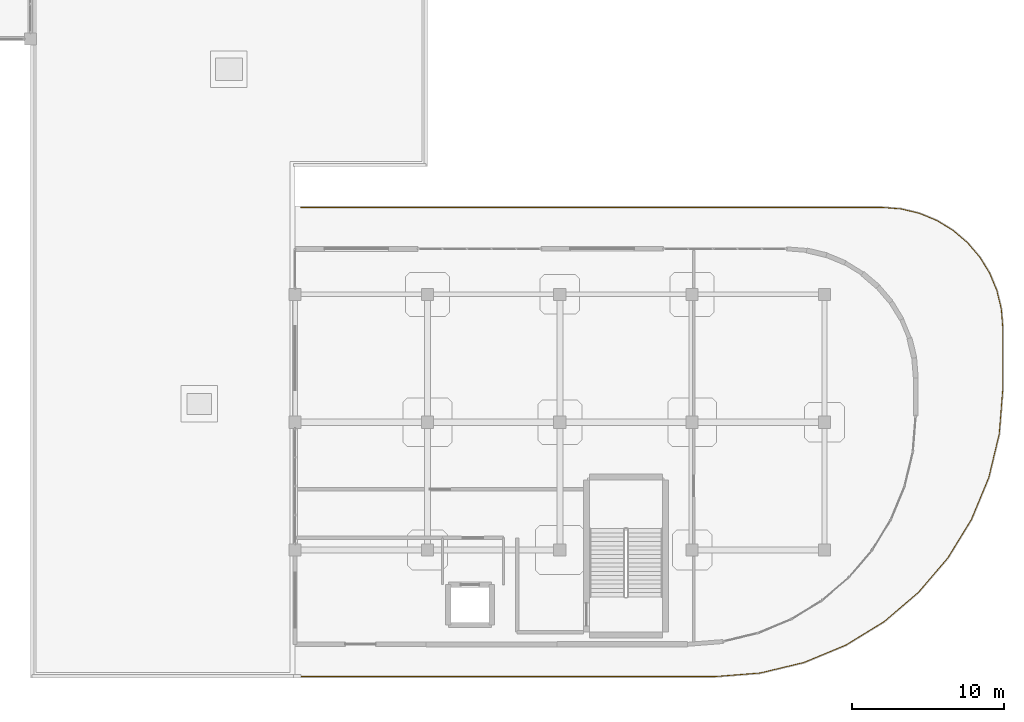
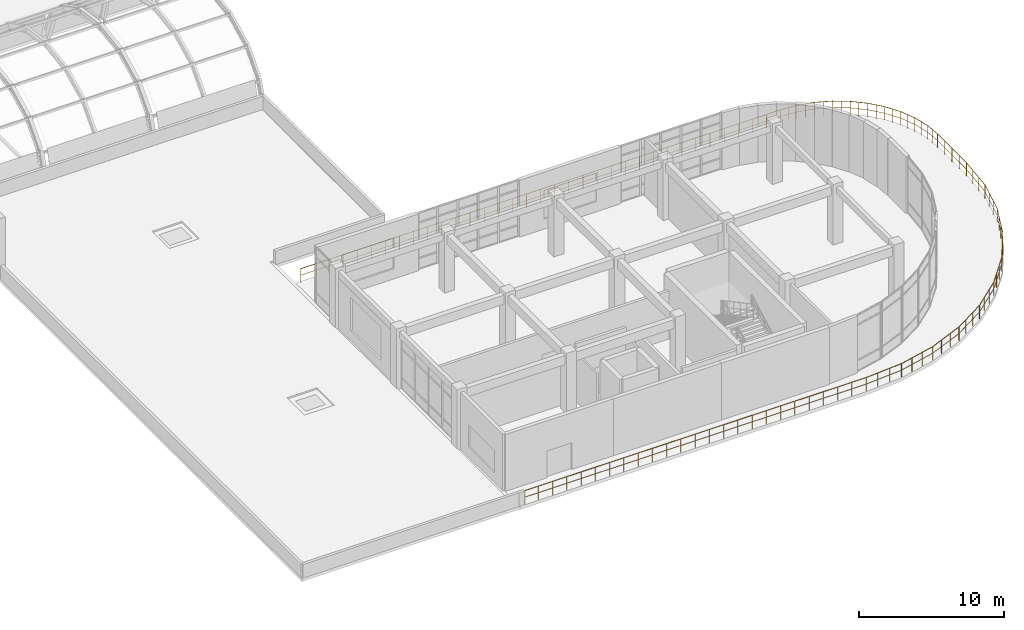
# One storey, part 124 of 124: 1 railing.
"""IFC4 building model written with IfcOpenShell, lengths in metres."""

from ifc_helpers import new_model, si_unit, derived_unit, direction, frame, origin, origin_2d, place, context, subcontext, project, spatial, circle, extrude, material, type_object, element, save


model = new_model("IFC4")

# Units and contexts
model_context = context("Model", 3, precision=1e-05, world=origin(), true_north=direction((0.0, 1.0)))
body_context = subcontext(model_context, "Body", "Model", "MODEL_VIEW")
ifc_project = project(units=[si_unit("LENGTHUNIT", "METRE"), si_unit("AREAUNIT", "SQUARE_METRE"), si_unit("VOLUMEUNIT", "CUBIC_METRE"), si_unit("PLANEANGLEUNIT", "RADIAN"), si_unit("MASSUNIT", "GRAM", prefix="KILO"), derived_unit("THERMALTRANSMITTANCEUNIT", [(si_unit("MASSUNIT", "GRAM", prefix="KILO"), 1), (si_unit("TIMEUNIT", "SECOND"), -3), (si_unit("THERMODYNAMICTEMPERATUREUNIT", "KELVIN"), -1)])], contexts=[model_context])

# Site, building, storey
site_placement = place(None, origin())
site = spatial("IfcSite", under=ifc_project, at=site_placement, CompositionType="ELEMENT")
building_placement = place(site_placement, origin())
building = spatial("IfcBuilding", under=site, at=building_placement, Name="Qinzheling Arcade Emporium", CompositionType="ELEMENT")
storey_placement = place(building_placement, frame((0.0, 0.0, 16.5)))
storey = spatial("IfcBuildingStorey", under=building, at=storey_placement, Name="L04", CompositionType="ELEMENT", Elevation=16.5)

# Railing
ifc_material = material(Name="Architectural bronze rail and laminated safety glass", Category="glass")
railing_type = type_object("IfcRailingType", Name="Curved Terrace Laminated Glass and Bronze Balustrade 1150", PredefinedType="BALUSTRADE", material=ifc_material)
railing_placement = place(storey_placement, frame((122.159912109375, 30.919921875, 0.0)))
element("IfcRailing", 1, at=railing_placement, inside=storey, type_object=railing_type, Name="Terrace Balustrade RLG-TER-L04-005", PredefinedType="BALUSTRADE", context=body_context, shape_type="SweptSolid", body=[
    extrude(circle(Radius=0.02392578125, at=origin_2d()), frame((0.0, 0.0, 1.1259765625), z_axis=(1.0, 0.0, 0.0), x_axis=(0.0, 1.0, 0.0)), (0.0, 0.0, 1.0), 38.237060546875),
    extrude(circle(Radius=0.01611328125, at=origin_2d()), frame((0.0, 0.0, 0.574951171875), z_axis=(1.0, 0.0, 0.0), x_axis=(0.0, 1.0, 0.0)), (0.0, 0.0, 1.0), 38.237060546875),
    extrude(circle(Radius=0.02392578125, at=origin_2d()), frame((38.237060546875, 0.0, 1.1259765625), z_axis=(0.996963806928, -0.077866344944, 0.0), x_axis=(0.077866344944, 0.996963806928, 0.0)), (0.0, 0.0, 1.0), 1.24462890625),
    extrude(circle(Radius=0.01611328125, at=origin_2d()), frame((38.237060546875, 0.0, 0.574951171875), z_axis=(0.996963806928, -0.077866344944, 0.0), x_axis=(0.077866344944, 0.996963806928, 0.0)), (0.0, 0.0, 1.0), 1.24462890625),
    extrude(circle(Radius=0.02392578125, at=origin_2d()), frame((39.47802734375, -0.096923828125, 1.1259765625), z_axis=(0.972230255377, -0.234026345802, 0.0), x_axis=(0.234026345802, 0.972230255377, 0.0)), (0.0, 0.0, 1.0), 1.243408203125),
    extrude(circle(Radius=0.01611328125, at=origin_2d()), frame((39.47802734375, -0.096923828125, 0.574951171875), z_axis=(0.972230255377, -0.234026345802, 0.0), x_axis=(0.234026345802, 0.972230255377, 0.0)), (0.0, 0.0, 1.0), 1.243408203125),
    extrude(circle(Radius=0.02392578125, at=origin_2d()), frame((40.68701171875, -0.387939453125, 1.1259765625), z_axis=(0.923858937936, -0.382733148285, 0.0), x_axis=(0.382733148285, 0.923858937936, 0.0)), (0.0, 0.0, 1.0), 1.243896484375),
    extrude(circle(Radius=0.01611328125, at=origin_2d()), frame((40.68701171875, -0.387939453125, 0.574951171875), z_axis=(0.923858937936, -0.382733148285, 0.0), x_axis=(0.382733148285, 0.923858937936, 0.0)), (0.0, 0.0, 1.0), 1.243896484375),
    extrude(circle(Radius=0.02392578125, at=origin_2d()), frame((41.836181640625, -0.864013671875, 1.1259765625), z_axis=(0.852615379293, -0.522539008107, 0.0), x_axis=(0.522539008107, 0.852615379293, 0.0)), (0.0, 0.0, 1.0), 1.241943359375),
    extrude(circle(Radius=0.01611328125, at=origin_2d()), frame((41.836181640625, -0.864013671875, 0.574951171875), z_axis=(0.852615379293, -0.522539008107, 0.0), x_axis=(0.522539008107, 0.852615379293, 0.0)), (0.0, 0.0, 1.0), 1.241943359375),
    extrude(circle(Radius=0.02392578125, at=origin_2d()), frame((42.89501953125, -1.512939453125, 1.1259765625), z_axis=(0.760517175436, -0.649317815762, 0.0), x_axis=(0.649317815762, 0.760517175436, 0.0)), (0.0, 0.0, 1.0), 1.24267578125),
    extrude(circle(Radius=0.01611328125, at=origin_2d()), frame((42.89501953125, -1.512939453125, 0.574951171875), z_axis=(0.760517175436, -0.649317815762, 0.0), x_axis=(0.649317815762, 0.760517175436, 0.0)), (0.0, 0.0, 1.0), 1.24267578125),
    extrude(circle(Radius=0.02392578125, at=origin_2d()), frame((43.840087890625, -2.31982421875, 1.1259765625), z_axis=(0.649317815762, -0.760517175436, 0.0), x_axis=(0.760517175436, 0.649317815762, 0.0)), (0.0, 0.0, 1.0), 1.24267578125),
    extrude(circle(Radius=0.01611328125, at=origin_2d()), frame((43.840087890625, -2.31982421875, 0.574951171875), z_axis=(0.649317815762, -0.760517175436, 0.0), x_axis=(0.760517175436, 0.649317815762, 0.0)), (0.0, 0.0, 1.0), 1.24267578125),
    extrude(circle(Radius=0.02392578125, at=origin_2d()), frame((44.64697265625, -3.264892578125, 1.1259765625), z_axis=(0.522594318317, -0.852581479075, 0.0), x_axis=(0.852581479075, 0.522594318317, 0.0)), (0.0, 0.0, 1.0), 1.2421875),
    extrude(circle(Radius=0.01611328125, at=origin_2d()), frame((44.64697265625, -3.264892578125, 0.574951171875), z_axis=(0.522594318317, -0.852581479075, 0.0), x_axis=(0.852581479075, 0.522594318317, 0.0)), (0.0, 0.0, 1.0), 1.2421875),
    extrude(circle(Radius=0.02392578125, at=origin_2d()), frame((45.296142578125, -4.323974609375, 1.1259765625), z_axis=(0.382634999188, -0.923899592703, 0.0), x_axis=(0.923899592703, 0.382634999188, 0.0)), (0.0, 0.0, 1.0), 1.24365234375),
    extrude(circle(Radius=0.01611328125, at=origin_2d()), frame((45.296142578125, -4.323974609375, 0.574951171875), z_axis=(0.382634999188, -0.923899592703, 0.0), x_axis=(0.923899592703, 0.382634999188, 0.0)), (0.0, 0.0, 1.0), 1.24365234375),
    extrude(circle(Radius=0.02392578125, at=origin_2d()), frame((45.77197265625, -5.472900390625, 1.1259765625), z_axis=(0.234026345802, -0.972230255377, 0.0), x_axis=(0.972230255377, 0.234026345802, 0.0)), (0.0, 0.0, 1.0), 1.243408203125),
    extrude(circle(Radius=0.01611328125, at=origin_2d()), frame((45.77197265625, -5.472900390625, 0.574951171875), z_axis=(0.234026345802, -0.972230255377, 0.0), x_axis=(0.972230255377, 0.234026345802, 0.0)), (0.0, 0.0, 1.0), 1.243408203125),
    extrude(circle(Radius=0.02392578125, at=origin_2d()), frame((46.06298828125, -6.681884765625, 1.1259765625), z_axis=(0.078061288153, -0.996948562009, 0.0), x_axis=(0.996948562009, 0.078061288153, 0.0)), (0.0, 0.0, 1.0), 1.244873046875),
    extrude(circle(Radius=0.01611328125, at=origin_2d()), frame((46.06298828125, -6.681884765625, 0.574951171875), z_axis=(0.078061288153, -0.996948562009, 0.0), x_axis=(0.996948562009, 0.078061288153, 0.0)), (0.0, 0.0, 1.0), 1.244873046875),
    extrude(circle(Radius=0.02392578125, at=origin_2d()), frame((46.16015625, -7.9228515625, 1.1259765625), z_axis=(0.0, -1.0, 0.0), x_axis=(1.0, 0.0, 0.0)), (0.0, 0.0, 1.0), 3.994140625),
    extrude(circle(Radius=0.01611328125, at=origin_2d()), frame((46.16015625, -7.9228515625, 0.574951171875), z_axis=(0.0, -1.0, 0.0), x_axis=(1.0, 0.0, 0.0)), (0.0, 0.0, 1.0), 3.994140625),
    extrude(circle(Radius=0.02392578125, at=origin_2d()), frame((46.16015625, -11.9169921875, 1.1259765625), z_axis=(-0.078474685286, -0.996916106686, 0.0), x_axis=(0.996916106686, -0.078474685286, 0.0)), (0.0, 0.0, 1.0), 2.97119140625),
    extrude(circle(Radius=0.01611328125, at=origin_2d()), frame((46.16015625, -11.9169921875, 0.574951171875), z_axis=(-0.078474685286, -0.996916106686, 0.0), x_axis=(0.996916106686, -0.078474685286, 0.0)), (0.0, 0.0, 1.0), 2.97119140625),
    extrude(circle(Radius=0.02392578125, at=origin_2d()), frame((45.927001953125, -14.87890625, 1.1259765625), z_axis=(-0.233372952475, -0.972387301981, 0.0), x_axis=(0.972387301981, -0.233372952475, 0.0)), (0.0, 0.0, 1.0), 2.968994140625),
    extrude(circle(Radius=0.01611328125, at=origin_2d()), frame((45.927001953125, -14.87890625, 0.574951171875), z_axis=(-0.233372952475, -0.972387301981, 0.0), x_axis=(0.972387301981, -0.233372952475, 0.0)), (0.0, 0.0, 1.0), 2.968994140625),
    extrude(circle(Radius=0.02392578125, at=origin_2d()), frame((45.234130859375, -17.765869140625, 1.1259765625), z_axis=(-0.38277039276, -0.923843507541, 0.0), x_axis=(0.923843507541, -0.38277039276, 0.0)), (0.0, 0.0, 1.0), 2.970458984375),
    extrude(circle(Radius=0.01611328125, at=origin_2d()), frame((45.234130859375, -17.765869140625, 0.574951171875), z_axis=(-0.38277039276, -0.923843507541, 0.0), x_axis=(0.923843507541, -0.38277039276, 0.0)), (0.0, 0.0, 1.0), 2.970458984375),
    extrude(circle(Radius=0.02392578125, at=origin_2d()), frame((44.09716796875, -20.510009765625, 1.1259765625), z_axis=(-0.522504198859, -0.852636711721, 0.0), x_axis=(0.852636711721, -0.522504198859, 0.0)), (0.0, 0.0, 1.0), 2.968505859375),
    extrude(circle(Radius=0.01611328125, at=origin_2d()), frame((44.09716796875, -20.510009765625, 0.574951171875), z_axis=(-0.522504198859, -0.852636711721, 0.0), x_axis=(0.852636711721, -0.522504198859, 0.0)), (0.0, 0.0, 1.0), 2.968505859375),
    extrude(circle(Radius=0.02392578125, at=origin_2d()), frame((42.546142578125, -23.041015625, 1.1259765625), z_axis=(-0.649537366545, -0.760329671565, 0.0), x_axis=(0.760329671565, -0.649537366545, 0.0)), (0.0, 0.0, 1.0), 2.96826171875),
    extrude(circle(Radius=0.01611328125, at=origin_2d()), frame((42.546142578125, -23.041015625, 0.574951171875), z_axis=(-0.649537366545, -0.760329671565, 0.0), x_axis=(0.760329671565, -0.649537366545, 0.0)), (0.0, 0.0, 1.0), 2.96826171875),
    extrude(circle(Radius=0.02392578125, at=origin_2d()), frame((40.6181640625, -25.2978515625, 1.1259765625), z_axis=(-0.760364369972, -0.649496747395, 0.0), x_axis=(0.649496747395, -0.760364369972, 0.0)), (0.0, 0.0, 1.0), 2.968505859375),
    extrude(circle(Radius=0.01611328125, at=origin_2d()), frame((40.6181640625, -25.2978515625, 0.574951171875), z_axis=(-0.760364369972, -0.649496747395, 0.0), x_axis=(0.649496747395, -0.760364369972, 0.0)), (0.0, 0.0, 1.0), 2.968505859375),
    extrude(circle(Radius=0.02392578125, at=origin_2d()), frame((38.361083984375, -27.225830078125, 1.1259765625), z_axis=(-0.852636711721, -0.522504198859, 0.0), x_axis=(0.522504198859, -0.852636711721, 0.0)), (0.0, 0.0, 1.0), 2.968505859375),
    extrude(circle(Radius=0.01611328125, at=origin_2d()), frame((38.361083984375, -27.225830078125, 0.574951171875), z_axis=(-0.852636711721, -0.522504198859, 0.0), x_axis=(0.522504198859, -0.852636711721, 0.0)), (0.0, 0.0, 1.0), 2.968505859375),
    extrude(circle(Radius=0.02392578125, at=origin_2d()), frame((35.830078125, -28.77685546875, 1.1259765625), z_axis=(-0.923831463888, -0.382799459679, 0.0), x_axis=(0.382799459679, -0.923831463888, 0.0)), (0.0, 0.0, 1.0), 2.97021484375),
    extrude(circle(Radius=0.01611328125, at=origin_2d()), frame((35.830078125, -28.77685546875, 0.574951171875), z_axis=(-0.923831463888, -0.382799459679, 0.0), x_axis=(0.382799459679, -0.923831463888, 0.0)), (0.0, 0.0, 1.0), 2.97021484375),
    extrude(circle(Radius=0.02392578125, at=origin_2d()), frame((33.086181640625, -29.913818359375, 1.1259765625), z_axis=(-0.972373119459, -0.233432038402, 0.0), x_axis=(0.233432038402, -0.972373119459, 0.0)), (0.0, 0.0, 1.0), 2.96923828125),
    extrude(circle(Radius=0.01611328125, at=origin_2d()), frame((33.086181640625, -29.913818359375, 0.574951171875), z_axis=(-0.972373119459, -0.233432038402, 0.0), x_axis=(0.233432038402, -0.972373119459, 0.0)), (0.0, 0.0, 1.0), 2.96923828125),
    extrude(circle(Radius=0.02392578125, at=origin_2d()), frame((30.198974609375, -30.60693359375, 1.1259765625), z_axis=(-0.996922531952, -0.078393018091, 0.0), x_axis=(0.078393018091, -0.996922531952, 0.0)), (0.0, 0.0, 1.0), 2.970947265625),
    extrude(circle(Radius=0.01611328125, at=origin_2d()), frame((30.198974609375, -30.60693359375, 0.574951171875), z_axis=(-0.996922531952, -0.078393018091, 0.0), x_axis=(0.078393018091, -0.996922531952, 0.0)), (0.0, 0.0, 1.0), 2.970947265625),
    extrude(circle(Radius=0.02392578125, at=origin_2d()), frame((27.237060546875, -30.83984375, 1.1259765625), z_axis=(-1.0, 0.0, 0.0), x_axis=(0.0, -1.0, 0.0)), (0.0, 0.0, 1.0), 27.237060546875),
    extrude(circle(Radius=0.01611328125, at=origin_2d()), frame((27.237060546875, -30.83984375, 0.574951171875), z_axis=(-1.0, 0.0, 0.0), x_axis=(0.0, -1.0, 0.0)), (0.0, 0.0, 1.0), 27.237060546875),
    extrude(circle(Radius=0.02099609375, at=origin_2d()), origin(), (0.0, 0.0, 1.0), 1.101806640625),
    extrude(circle(Radius=0.02099609375, at=origin_2d()), frame((1.12451171875, 0.0, 0.0)), (0.0, 0.0, 1.0), 1.101806640625),
    extrude(circle(Radius=0.02099609375, at=origin_2d()), frame((2.249267578125, 0.0, 0.0)), (0.0, 0.0, 1.0), 1.101806640625),
    extrude(circle(Radius=0.02099609375, at=origin_2d()), frame((3.373779296875, 0.0, 0.0)), (0.0, 0.0, 1.0), 1.101806640625),
    extrude(circle(Radius=0.02099609375, at=origin_2d()), frame((4.49853515625, 0.0, 0.0)), (0.0, 0.0, 1.0), 1.101806640625),
    extrude(circle(Radius=0.02099609375, at=origin_2d()), frame((5.623046875, 0.0, 0.0)), (0.0, 0.0, 1.0), 1.101806640625),
    extrude(circle(Radius=0.02099609375, at=origin_2d()), frame((6.747802734375, 0.0, 0.0)), (0.0, 0.0, 1.0), 1.101806640625),
    extrude(circle(Radius=0.02099609375, at=origin_2d()), frame((7.872314453125, 0.0, 0.0)), (0.0, 0.0, 1.0), 1.101806640625),
    extrude(circle(Radius=0.02099609375, at=origin_2d()), frame((8.9970703125, 0.0, 0.0)), (0.0, 0.0, 1.0), 1.101806640625),
    extrude(circle(Radius=0.02099609375, at=origin_2d()), frame((10.12158203125, 0.0, 0.0)), (0.0, 0.0, 1.0), 1.101806640625),
    extrude(circle(Radius=0.02099609375, at=origin_2d()), frame((11.24609375, 0.0, 0.0)), (0.0, 0.0, 1.0), 1.101806640625),
    extrude(circle(Radius=0.02099609375, at=origin_2d()), frame((12.370849609375, 0.0, 0.0)), (0.0, 0.0, 1.0), 1.101806640625),
    extrude(circle(Radius=0.02099609375, at=origin_2d()), frame((13.495361328125, 0.0, 0.0)), (0.0, 0.0, 1.0), 1.101806640625),
    extrude(circle(Radius=0.02099609375, at=origin_2d()), frame((14.6201171875, 0.0, 0.0)), (0.0, 0.0, 1.0), 1.101806640625),
    extrude(circle(Radius=0.02099609375, at=origin_2d()), frame((15.74462890625, 0.0, 0.0)), (0.0, 0.0, 1.0), 1.101806640625),
    extrude(circle(Radius=0.02099609375, at=origin_2d()), frame((16.869384765625, 0.0, 0.0)), (0.0, 0.0, 1.0), 1.101806640625),
    extrude(circle(Radius=0.02099609375, at=origin_2d()), frame((17.993896484375, 0.0, 0.0)), (0.0, 0.0, 1.0), 1.101806640625),
    extrude(circle(Radius=0.02099609375, at=origin_2d()), frame((19.11865234375, 0.0, 0.0)), (0.0, 0.0, 1.0), 1.101806640625),
    extrude(circle(Radius=0.02099609375, at=origin_2d()), frame((20.2431640625, 0.0, 0.0)), (0.0, 0.0, 1.0), 1.101806640625),
    extrude(circle(Radius=0.02099609375, at=origin_2d()), frame((21.36767578125, 0.0, 0.0)), (0.0, 0.0, 1.0), 1.101806640625),
    extrude(circle(Radius=0.02099609375, at=origin_2d()), frame((22.492431640625, 0.0, 0.0)), (0.0, 0.0, 1.0), 1.101806640625),
    extrude(circle(Radius=0.02099609375, at=origin_2d()), frame((23.616943359375, 0.0, 0.0)), (0.0, 0.0, 1.0), 1.101806640625),
    extrude(circle(Radius=0.02099609375, at=origin_2d()), frame((24.74169921875, 0.0, 0.0)), (0.0, 0.0, 1.0), 1.101806640625),
    extrude(circle(Radius=0.02099609375, at=origin_2d()), frame((25.8662109375, 0.0, 0.0)), (0.0, 0.0, 1.0), 1.101806640625),
    extrude(circle(Radius=0.02099609375, at=origin_2d()), frame((26.990966796875, 0.0, 0.0)), (0.0, 0.0, 1.0), 1.101806640625),
    extrude(circle(Radius=0.02099609375, at=origin_2d()), frame((28.115478515625, 0.0, 0.0)), (0.0, 0.0, 1.0), 1.101806640625),
    extrude(circle(Radius=0.02099609375, at=origin_2d()), frame((29.239990234375, 0.0, 0.0)), (0.0, 0.0, 1.0), 1.101806640625),
    extrude(circle(Radius=0.02099609375, at=origin_2d()), frame((30.36474609375, 0.0, 0.0)), (0.0, 0.0, 1.0), 1.101806640625),
    extrude(circle(Radius=0.02099609375, at=origin_2d()), frame((31.4892578125, 0.0, 0.0)), (0.0, 0.0, 1.0), 1.101806640625),
    extrude(circle(Radius=0.02099609375, at=origin_2d()), frame((32.614013671875, 0.0, 0.0)), (0.0, 0.0, 1.0), 1.101806640625),
    extrude(circle(Radius=0.02099609375, at=origin_2d()), frame((33.738525390625, 0.0, 0.0)), (0.0, 0.0, 1.0), 1.101806640625),
    extrude(circle(Radius=0.02099609375, at=origin_2d()), frame((34.86328125, 0.0, 0.0)), (0.0, 0.0, 1.0), 1.101806640625),
    extrude(circle(Radius=0.02099609375, at=origin_2d()), frame((35.98779296875, 0.0, 0.0)), (0.0, 0.0, 1.0), 1.101806640625),
    extrude(circle(Radius=0.02099609375, at=origin_2d()), frame((37.112548828125, 0.0, 0.0)), (0.0, 0.0, 1.0), 1.101806640625),
    extrude(circle(Radius=0.02099609375, at=origin_2d()), frame((38.237060546875, 0.0, 0.0)), (0.0, 0.0, 1.0), 1.101806640625),
    extrude(circle(Radius=0.02099609375, at=origin_2d()), frame((38.857421875, -0.04833984375, 0.0)), (0.0, 0.0, 1.0), 1.101806640625),
    extrude(circle(Radius=0.02099609375, at=origin_2d()), frame((39.47802734375, -0.096923828125, 0.0)), (0.0, 0.0, 1.0), 1.101806640625),
    extrude(circle(Radius=0.02099609375, at=origin_2d()), frame((40.08251953125, -0.242431640625, 0.0)), (0.0, 0.0, 1.0), 1.101806640625),
    extrude(circle(Radius=0.02099609375, at=origin_2d()), frame((40.68701171875, -0.387939453125, 0.0)), (0.0, 0.0, 1.0), 1.101806640625),
    extrude(circle(Radius=0.02099609375, at=origin_2d()), frame((41.26171875, -0.6259765625, 0.0)), (0.0, 0.0, 1.0), 1.101806640625),
    extrude(circle(Radius=0.02099609375, at=origin_2d()), frame((41.836181640625, -0.864013671875, 0.0)), (0.0, 0.0, 1.0), 1.101806640625),
    extrude(circle(Radius=0.02099609375, at=origin_2d()), frame((42.36572265625, -1.1884765625, 0.0)), (0.0, 0.0, 1.0), 1.101806640625),
    extrude(circle(Radius=0.02099609375, at=origin_2d()), frame((42.89501953125, -1.512939453125, 0.0)), (0.0, 0.0, 1.0), 1.101806640625),
    extrude(circle(Radius=0.02099609375, at=origin_2d()), frame((43.36767578125, -1.91650390625, 0.0)), (0.0, 0.0, 1.0), 1.101806640625),
    extrude(circle(Radius=0.02099609375, at=origin_2d()), frame((43.840087890625, -2.31982421875, 0.0)), (0.0, 0.0, 1.0), 1.101806640625),
    extrude(circle(Radius=0.02099609375, at=origin_2d()), frame((44.24365234375, -2.79248046875, 0.0)), (0.0, 0.0, 1.0), 1.101806640625),
    extrude(circle(Radius=0.02099609375, at=origin_2d()), frame((44.64697265625, -3.264892578125, 0.0)), (0.0, 0.0, 1.0), 1.101806640625),
    extrude(circle(Radius=0.02099609375, at=origin_2d()), frame((44.9716796875, -3.79443359375, 0.0)), (0.0, 0.0, 1.0), 1.101806640625),
    extrude(circle(Radius=0.02099609375, at=origin_2d()), frame((45.296142578125, -4.323974609375, 0.0)), (0.0, 0.0, 1.0), 1.101806640625),
    extrude(circle(Radius=0.02099609375, at=origin_2d()), frame((45.5341796875, -4.8984375, 0.0)), (0.0, 0.0, 1.0), 1.101806640625),
    extrude(circle(Radius=0.02099609375, at=origin_2d()), frame((45.77197265625, -5.472900390625, 0.0)), (0.0, 0.0, 1.0), 1.101806640625),
    extrude(circle(Radius=0.02099609375, at=origin_2d()), frame((45.91748046875, -6.077392578125, 0.0)), (0.0, 0.0, 1.0), 1.101806640625),
    extrude(circle(Radius=0.02099609375, at=origin_2d()), frame((46.06298828125, -6.681884765625, 0.0)), (0.0, 0.0, 1.0), 1.101806640625),
    extrude(circle(Radius=0.02099609375, at=origin_2d()), frame((46.111572265625, -7.30224609375, 0.0)), (0.0, 0.0, 1.0), 1.101806640625),
    extrude(circle(Radius=0.02099609375, at=origin_2d()), frame((46.16015625, -7.9228515625, 0.0)), (0.0, 0.0, 1.0), 1.101806640625),
    extrude(circle(Radius=0.02099609375, at=origin_2d()), frame((46.16015625, -8.92138671875, 0.0)), (0.0, 0.0, 1.0), 1.101806640625),
    extrude(circle(Radius=0.02099609375, at=origin_2d()), frame((46.16015625, -9.919921875, 0.0)), (0.0, 0.0, 1.0), 1.101806640625),
    extrude(circle(Radius=0.02099609375, at=origin_2d()), frame((46.16015625, -10.91845703125, 0.0)), (0.0, 0.0, 1.0), 1.101806640625),
    extrude(circle(Radius=0.02099609375, at=origin_2d()), frame((46.16015625, -11.9169921875, 0.0)), (0.0, 0.0, 1.0), 1.101806640625),
    extrude(circle(Radius=0.02099609375, at=origin_2d()), frame((46.08251953125, -12.904296875, 0.0)), (0.0, 0.0, 1.0), 1.101806640625),
    extrude(circle(Radius=0.02099609375, at=origin_2d()), frame((46.004638671875, -13.8916015625, 0.0)), (0.0, 0.0, 1.0), 1.101806640625),
    extrude(circle(Radius=0.02099609375, at=origin_2d()), frame((45.927001953125, -14.87890625, 0.0)), (0.0, 0.0, 1.0), 1.101806640625),
    extrude(circle(Radius=0.02099609375, at=origin_2d()), frame((45.696044921875, -15.84130859375, 0.0)), (0.0, 0.0, 1.0), 1.101806640625),
    extrude(circle(Radius=0.02099609375, at=origin_2d()), frame((45.465087890625, -16.803466796875, 0.0)), (0.0, 0.0, 1.0), 1.101806640625),
    extrude(circle(Radius=0.02099609375, at=origin_2d()), frame((45.234130859375, -17.765869140625, 0.0)), (0.0, 0.0, 1.0), 1.101806640625),
    extrude(circle(Radius=0.02099609375, at=origin_2d()), frame((44.855224609375, -18.6806640625, 0.0)), (0.0, 0.0, 1.0), 1.101806640625),
    extrude(circle(Radius=0.02099609375, at=origin_2d()), frame((44.47607421875, -19.59521484375, 0.0)), (0.0, 0.0, 1.0), 1.101806640625),
    extrude(circle(Radius=0.02099609375, at=origin_2d()), frame((44.09716796875, -20.510009765625, 0.0)), (0.0, 0.0, 1.0), 1.101806640625),
    extrude(circle(Radius=0.02099609375, at=origin_2d()), frame((43.580078125, -21.353759765625, 0.0)), (0.0, 0.0, 1.0), 1.101806640625),
    extrude(circle(Radius=0.02099609375, at=origin_2d()), frame((43.063232421875, -22.197265625, 0.0)), (0.0, 0.0, 1.0), 1.101806640625),
    extrude(circle(Radius=0.02099609375, at=origin_2d()), frame((42.546142578125, -23.041015625, 0.0)), (0.0, 0.0, 1.0), 1.101806640625),
    extrude(circle(Radius=0.02099609375, at=origin_2d()), frame((41.903564453125, -23.793212890625, 0.0)), (0.0, 0.0, 1.0), 1.101806640625),
    extrude(circle(Radius=0.02099609375, at=origin_2d()), frame((41.2607421875, -24.545654296875, 0.0)), (0.0, 0.0, 1.0), 1.101806640625),
    extrude(circle(Radius=0.02099609375, at=origin_2d()), frame((40.6181640625, -25.2978515625, 0.0)), (0.0, 0.0, 1.0), 1.101806640625),
    extrude(circle(Radius=0.02099609375, at=origin_2d()), frame((39.86572265625, -25.9404296875, 0.0)), (0.0, 0.0, 1.0), 1.101806640625),
    extrude(circle(Radius=0.02099609375, at=origin_2d()), frame((39.113525390625, -26.583251953125, 0.0)), (0.0, 0.0, 1.0), 1.101806640625),
    extrude(circle(Radius=0.02099609375, at=origin_2d()), frame((38.361083984375, -27.225830078125, 0.0)), (0.0, 0.0, 1.0), 1.101806640625),
    extrude(circle(Radius=0.02099609375, at=origin_2d()), frame((37.517333984375, -27.742919921875, 0.0)), (0.0, 0.0, 1.0), 1.101806640625),
    extrude(circle(Radius=0.02099609375, at=origin_2d()), frame((36.673828125, -28.259765625, 0.0)), (0.0, 0.0, 1.0), 1.101806640625),
    extrude(circle(Radius=0.02099609375, at=origin_2d()), frame((35.830078125, -28.77685546875, 0.0)), (0.0, 0.0, 1.0), 1.101806640625),
    extrude(circle(Radius=0.02099609375, at=origin_2d()), frame((34.91552734375, -29.15576171875, 0.0)), (0.0, 0.0, 1.0), 1.101806640625),
    extrude(circle(Radius=0.02099609375, at=origin_2d()), frame((34.000732421875, -29.534912109375, 0.0)), (0.0, 0.0, 1.0), 1.101806640625),
    extrude(circle(Radius=0.02099609375, at=origin_2d()), frame((33.086181640625, -29.913818359375, 0.0)), (0.0, 0.0, 1.0), 1.101806640625),
    extrude(circle(Radius=0.02099609375, at=origin_2d()), frame((32.123779296875, -30.144775390625, 0.0)), (0.0, 0.0, 1.0), 1.101806640625),
    extrude(circle(Radius=0.02099609375, at=origin_2d()), frame((31.161376953125, -30.3759765625, 0.0)), (0.0, 0.0, 1.0), 1.101806640625),
    extrude(circle(Radius=0.02099609375, at=origin_2d()), frame((30.198974609375, -30.60693359375, 0.0)), (0.0, 0.0, 1.0), 1.101806640625),
    extrude(circle(Radius=0.02099609375, at=origin_2d()), frame((29.211669921875, -30.6845703125, 0.0)), (0.0, 0.0, 1.0), 1.101806640625),
    extrude(circle(Radius=0.02099609375, at=origin_2d()), frame((28.224365234375, -30.76220703125, 0.0)), (0.0, 0.0, 1.0), 1.101806640625),
    extrude(circle(Radius=0.02099609375, at=origin_2d()), frame((27.237060546875, -30.83984375, 0.0)), (0.0, 0.0, 1.0), 1.101806640625),
    extrude(circle(Radius=0.02099609375, at=origin_2d()), frame((26.102294921875, -30.83984375, 0.0)), (0.0, 0.0, 1.0), 1.101806640625),
    extrude(circle(Radius=0.02099609375, at=origin_2d()), frame((24.96728515625, -30.83984375, 0.0)), (0.0, 0.0, 1.0), 1.101806640625),
    extrude(circle(Radius=0.02099609375, at=origin_2d()), frame((23.83251953125, -30.83984375, 0.0)), (0.0, 0.0, 1.0), 1.101806640625),
    extrude(circle(Radius=0.02099609375, at=origin_2d()), frame((22.697509765625, -30.83984375, 0.0)), (0.0, 0.0, 1.0), 1.101806640625),
    extrude(circle(Radius=0.02099609375, at=origin_2d()), frame((21.562744140625, -30.83984375, 0.0)), (0.0, 0.0, 1.0), 1.101806640625),
    extrude(circle(Radius=0.02099609375, at=origin_2d()), frame((20.427734375, -30.83984375, 0.0)), (0.0, 0.0, 1.0), 1.101806640625),
    extrude(circle(Radius=0.02099609375, at=origin_2d()), frame((19.29296875, -30.83984375, 0.0)), (0.0, 0.0, 1.0), 1.101806640625),
    extrude(circle(Radius=0.02099609375, at=origin_2d()), frame((18.157958984375, -30.83984375, 0.0)), (0.0, 0.0, 1.0), 1.101806640625),
    extrude(circle(Radius=0.02099609375, at=origin_2d()), frame((17.023193359375, -30.83984375, 0.0)), (0.0, 0.0, 1.0), 1.101806640625),
    extrude(circle(Radius=0.02099609375, at=origin_2d()), frame((15.88818359375, -30.83984375, 0.0)), (0.0, 0.0, 1.0), 1.101806640625),
    extrude(circle(Radius=0.02099609375, at=origin_2d()), frame((14.75341796875, -30.83984375, 0.0)), (0.0, 0.0, 1.0), 1.101806640625),
    extrude(circle(Radius=0.02099609375, at=origin_2d()), frame((13.61865234375, -30.83984375, 0.0)), (0.0, 0.0, 1.0), 1.101806640625),
    extrude(circle(Radius=0.02099609375, at=origin_2d()), frame((12.483642578125, -30.83984375, 0.0)), (0.0, 0.0, 1.0), 1.101806640625),
    extrude(circle(Radius=0.02099609375, at=origin_2d()), frame((11.348876953125, -30.83984375, 0.0)), (0.0, 0.0, 1.0), 1.101806640625),
    extrude(circle(Radius=0.02099609375, at=origin_2d()), frame((10.2138671875, -30.83984375, 0.0)), (0.0, 0.0, 1.0), 1.101806640625),
    extrude(circle(Radius=0.02099609375, at=origin_2d()), frame((9.0791015625, -30.83984375, 0.0)), (0.0, 0.0, 1.0), 1.101806640625),
    extrude(circle(Radius=0.02099609375, at=origin_2d()), frame((7.944091796875, -30.83984375, 0.0)), (0.0, 0.0, 1.0), 1.101806640625),
    extrude(circle(Radius=0.02099609375, at=origin_2d()), frame((6.809326171875, -30.83984375, 0.0)), (0.0, 0.0, 1.0), 1.101806640625),
    extrude(circle(Radius=0.02099609375, at=origin_2d()), frame((5.67431640625, -30.83984375, 0.0)), (0.0, 0.0, 1.0), 1.101806640625),
    extrude(circle(Radius=0.02099609375, at=origin_2d()), frame((4.53955078125, -30.83984375, 0.0)), (0.0, 0.0, 1.0), 1.101806640625),
    extrude(circle(Radius=0.02099609375, at=origin_2d()), frame((3.404541015625, -30.83984375, 0.0)), (0.0, 0.0, 1.0), 1.101806640625),
    extrude(circle(Radius=0.02099609375, at=origin_2d()), frame((2.269775390625, -30.83984375, 0.0)), (0.0, 0.0, 1.0), 1.101806640625),
    extrude(circle(Radius=0.02099609375, at=origin_2d()), frame((1.134765625, -30.83984375, 0.0)), (0.0, 0.0, 1.0), 1.101806640625),
    extrude(circle(Radius=0.02099609375, at=origin_2d()), frame((0.0, -30.83984375, 0.0)), (0.0, 0.0, 1.0), 1.101806640625),
])

save(model, "model.ifc")
